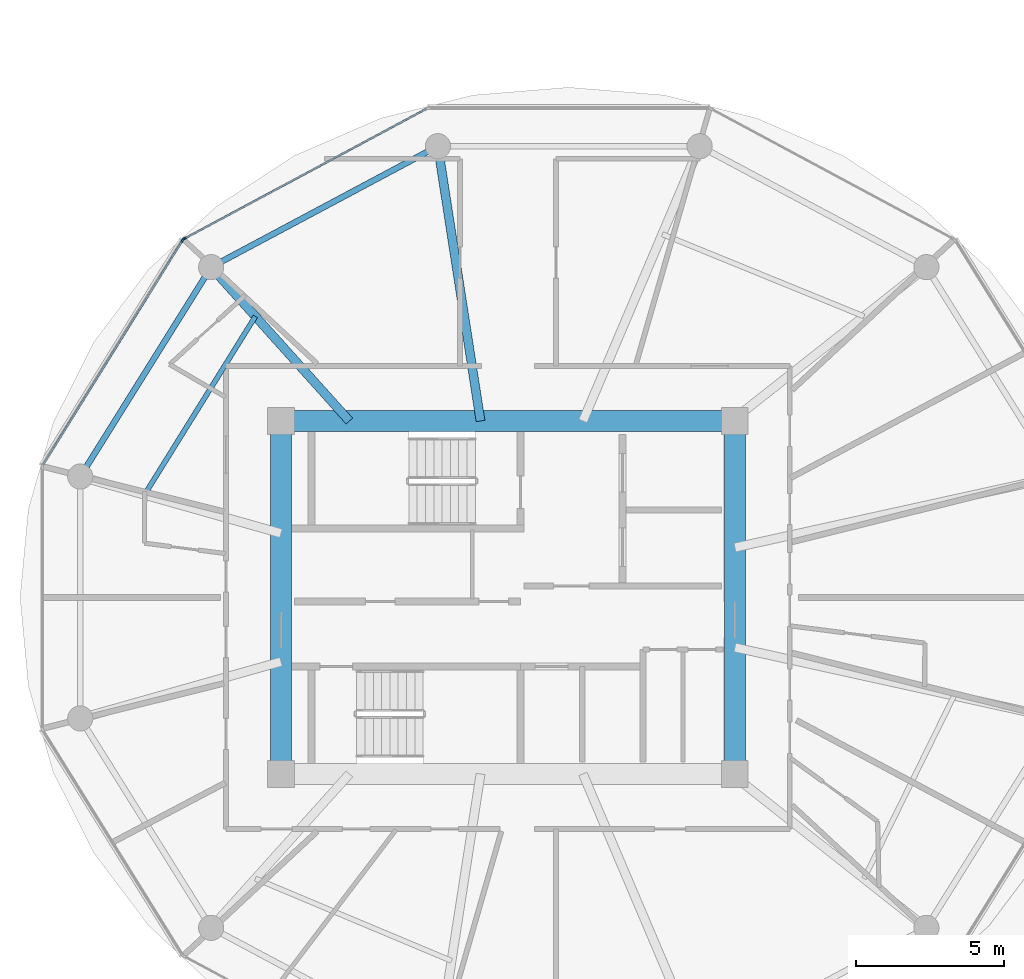
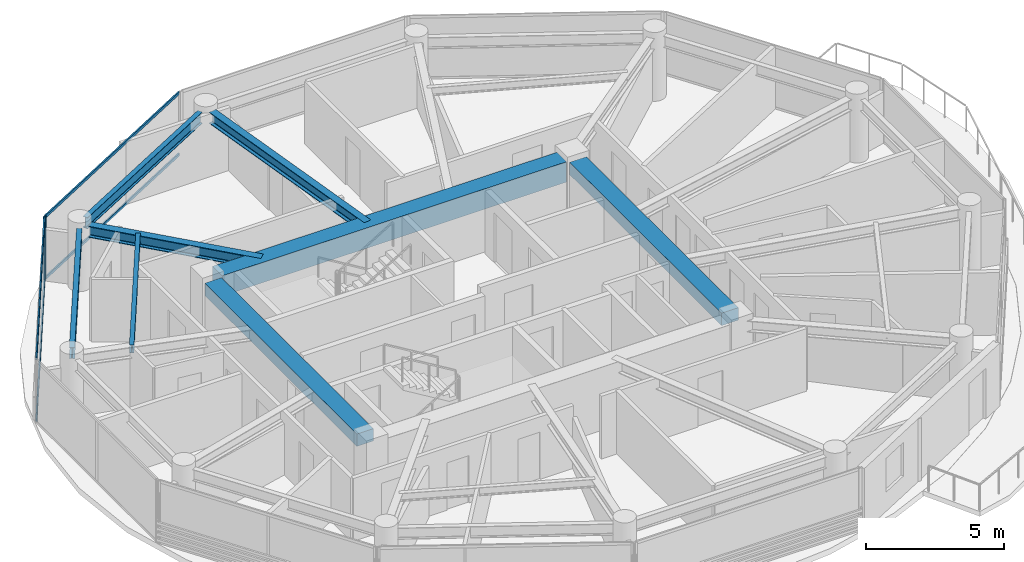
# One storey, part 4 of 22: 8 beams, 6 members, 2 elements without a shape of their own.
"""IFC4 building model written with IfcOpenShell, lengths in metres."""

from ifc_helpers import new_model, si_unit, direction, frame, origin, origin_2d, place, context, subcontext, project, spatial, rectangle, i_section, extrude, source, transform, mapped, material, layer, layer_set, material_profile, profile_set, type_object, type_shapes, element, aggregate, save


model = new_model("IFC4")

# Units and contexts
model_context = context("Model", 3, precision=1e-05, world=origin(), true_north=direction((0.0, 1.0)))
body_context = subcontext(model_context, "Body", "Model", "MODEL_VIEW")
ifc_project = project(units=[si_unit("LENGTHUNIT", "METRE"), si_unit("AREAUNIT", "SQUARE_METRE"), si_unit("VOLUMEUNIT", "CUBIC_METRE"), si_unit("PLANEANGLEUNIT", "RADIAN"), si_unit("MASSUNIT", "GRAM", prefix="KILO")], contexts=[model_context])

# Site, building, storey
site_placement = place(None, origin())
site = spatial("IfcSite", under=ifc_project, at=site_placement, CompositionType="ELEMENT")
building_placement = place(site_placement, origin())
building = spatial("IfcBuilding", under=site, at=building_placement, Name="Norrkilde Senior Care Towers", CompositionType="ELEMENT")
storey_placement = place(building_placement, frame((0.0, 0.0, 123.699951171875)))
storey = spatial("IfcBuildingStorey", under=building, at=storey_placement, Name="L38", CompositionType="ELEMENT", Elevation=123.699951171875)

# Beams
ifc_material_1 = material(Name="Concrete C60/75", Category="concrete")
ifc_material_profile_1 = material_profile(ifc_material_1, rectangle(XDim=0.699951171875, YDim=0.89990234375, at=origin_2d()), Name="RC BM 700x900")
ifc_profile_set_1 = profile_set([ifc_material_profile_1], Name="Concrete C60/75")
beam_type_1 = type_object("IfcBeamType", Name="Core Coupling Girder 700x900", PredefinedType="USERDEFINED", material=ifc_profile_set_1)
shared_shape_1 = source(origin(), body_context, "Body", "SweptSolid", [
    extrude(rectangle(XDim=0.699951171875, YDim=0.89990234375, at=origin_2d()), origin(), (0.0, 0.0, 1.0), 14.43994140625),
])
type_shapes(beam_type_1, [shared_shape_1])
beam_1_placement = place(storey_placement, frame((-35.219970703125, 5.949951171875, 2.340087890625), z_axis=(1.0, 0.0, 0.0), x_axis=(0.0, 1.0, 0.0)))
element("IfcBeam", 1, at=beam_1_placement, inside=storey, type_object=beam_type_1, Name="L38 Core W N Coupling Girder", ObjectType="GIRDER", PredefinedType="USERDEFINED", context=body_context, shape_type="MappedRepresentation", body=[
    mapped(shared_shape_1, transform((0.0, 0.0, 0.0), x_axis=(1.0, 0.0, 0.0), y_axis=(0.0, 1.0, 0.0), z_axis=(0.0, 0.0, 1.0), scale=1.0)),
])
ifc_material_profile_2 = material_profile(ifc_material_1, rectangle(XDim=0.699951171875, YDim=0.550048828125, at=origin_2d()), Name="RC BM 700x550")
ifc_profile_set_2 = profile_set([ifc_material_profile_2], Name="Concrete C60/75")
beam_type_2 = type_object("IfcBeamType", Name="Core Portal Coupling Beam 700x550", PredefinedType="USERDEFINED", material=ifc_profile_set_2)
shared_shape_2 = source(origin(), body_context, "Body", "SweptSolid", [
    extrude(rectangle(XDim=0.699951171875, YDim=0.550048828125, at=origin_2d()), origin(), (0.0, 0.0, 1.0), 11.0400390625),
])
type_shapes(beam_type_2, [shared_shape_2])
for number, where, z_axis, x_axis, name in (
    (2, (-35.64990234375, -5.52001953125, 2.51513671875), (0.0, 1.0, 0.0), (-1.0, 0.0, 0.0), "L38 Core W W Coupling Girder"),
    (3, (-20.35009765625, -5.52001953125, 2.51513671875), (0.0, 1.0, 0.0), (-1.0, 0.0, 0.0), "L38 Core W E Coupling Girder"),
):
    element("IfcBeam", number, at=place(storey_placement, frame(where, z_axis=z_axis, x_axis=x_axis)), inside=storey, type_object=beam_type_2, Name=name, ObjectType="GIRDER", PredefinedType="USERDEFINED", context=body_context, shape_type="MappedRepresentation", body=[
        mapped(shared_shape_2, transform((0.0, 0.0, 0.0), x_axis=(1.0, 0.0, 0.0), y_axis=(0.0, 1.0, 0.0), z_axis=(0.0, 0.0, 1.0), scale=1.0)),
    ])
ifc_material_2 = material(Name="Steel S355", Category="steel")
ifc_material_profile_3 = material_profile(ifc_material_2, i_section(OverallWidth=0.199951171875, OverallDepth=0.5, WebThickness=0.01025390625, FlangeThickness=0.01611328125, FilletRadius=0.02099609375, at=origin_2d()), Name="IPE 500")
ifc_profile_set_3 = profile_set([ifc_material_profile_3], Name="Steel S355")
beam_type_3 = type_object("IfcBeamType", Name="Perimeter Ring Spandrel Z2 IPE500", PredefinedType="SPANDREL", material=ifc_profile_set_3)
shared_shape_3 = source(origin(), body_context, "Body", "SweptSolid", [
    extrude(i_section(OverallWidth=0.199951171875, OverallDepth=0.5, WebThickness=0.01025390625, FlangeThickness=0.01611328125, FilletRadius=0.02099609375, at=origin_2d()), origin(), (0.0, 0.0, 1.0), 7.892333984375),
])
beam_2_placement = place(storey_placement, frame((-30.70263671875, 15.0322265625, 2.5400390625), z_axis=(-0.882350372282, -0.47059305194, 0.0), x_axis=(0.47059305194, -0.882350372282, 0.0)))
element("IfcBeam", 4, at=beam_2_placement, inside=storey, type_object=beam_type_3, Name="L38 Drum W Perimeter Spandrel 04", PredefinedType="SPANDREL", context=body_context, shape_type="MappedRepresentation", body=[
    mapped(shared_shape_3, transform((0.0, 0.0, 0.0), x_axis=(1.0, 0.0, 0.0), y_axis=(0.0, 1.0, 0.0), z_axis=(0.0, 0.0, 1.0), scale=1.0)),
])
ifc_material_profile_4 = material_profile(ifc_material_2, i_section(OverallWidth=0.300048828125, OverallDepth=0.5, WebThickness=0.014404296875, FlangeThickness=0.028076171875, FilletRadius=0.027099609375, at=origin_2d()), Name="HEB 500")
ifc_profile_set_4 = profile_set([ifc_material_profile_4], Name="Steel S355")
beam_type_4 = type_object("IfcBeamType", Name="Radial Floor Beam Z2 HEB500", PredefinedType="BEAM", material=ifc_profile_set_4)
shared_shape_4 = source(origin(), body_context, "Body", "SweptSolid", [
    extrude(i_section(OverallWidth=0.300048828125, OverallDepth=0.5, WebThickness=0.014404296875, FlangeThickness=0.028076171875, FilletRadius=0.027099609375, at=origin_2d()), origin(), (0.0, 0.0, 1.0), 8.989501953125),
])
beam_3_placement = place(storey_placement, frame((-28.924072265625, 5.949951171875, 2.5400390625), z_axis=(-0.153471298636, 0.988153105796, 0.0), x_axis=(-0.988153105796, -0.153471298636, 0.0)))
element("IfcBeam", 5, at=beam_3_placement, inside=storey, type_object=beam_type_4, Name="L38 Drum W Radial Floor Beam 04", PredefinedType="BEAM", context=body_context, shape_type="MappedRepresentation", body=[
    mapped(shared_shape_4, transform((0.0, 0.0, 0.0), x_axis=(1.0, 0.0, 0.0), y_axis=(0.0, 1.0, 0.0), z_axis=(0.0, 0.0, 1.0), scale=1.0)),
])
shared_shape_5 = source(origin(), body_context, "Body", "SweptSolid", [
    extrude(i_section(OverallWidth=0.199951171875, OverallDepth=0.5, WebThickness=0.01025390625, FlangeThickness=0.01611328125, FilletRadius=0.02099609375, at=origin_2d()), origin(), (0.0, 0.0, 1.0), 7.556396484375),
])
type_shapes(beam_type_3, [shared_shape_3, shared_shape_5])
beam_4_placement = place(storey_placement, frame((-38.210205078125, 10.810546875, 2.5400390625), z_axis=(-0.530004748437, -0.847994673706, 0.0), x_axis=(0.847994673706, -0.530004748437, 0.0)))
element("IfcBeam", 6, at=beam_4_placement, inside=storey, type_object=beam_type_3, Name="L38 Drum W Perimeter Spandrel 05", PredefinedType="SPANDREL", context=body_context, shape_type="MappedRepresentation", body=[
    mapped(shared_shape_5, transform((0.0, 0.0, 0.0), x_axis=(1.0, 0.0, 0.0), y_axis=(0.0, 1.0, 0.0), z_axis=(0.0, 0.0, 1.0), scale=1.0)),
])
shared_shape_6 = source(origin(), body_context, "Body", "SweptSolid", [
    extrude(i_section(OverallWidth=0.300048828125, OverallDepth=0.5, WebThickness=0.014404296875, FlangeThickness=0.028076171875, FilletRadius=0.027099609375, at=origin_2d()), origin(), (0.0, 0.0, 1.0), 6.587890625),
])
type_shapes(beam_type_4, [shared_shape_4, shared_shape_6])
beam_5_placement = place(storey_placement, frame((-33.345947265625, 5.949951171875, 2.5400390625), z_axis=(-0.668315438605, 0.743877997068, 0.0), x_axis=(-0.743877997068, -0.668315438605, 0.0)))
element("IfcBeam", 7, at=beam_5_placement, inside=storey, type_object=beam_type_4, Name="L38 Drum W Radial Floor Beam 05", PredefinedType="BEAM", context=body_context, shape_type="MappedRepresentation", body=[
    mapped(shared_shape_6, transform((0.0, 0.0, 0.0), x_axis=(1.0, 0.0, 0.0), y_axis=(0.0, 1.0, 0.0), z_axis=(0.0, 0.0, 1.0), scale=1.0)),
])
ifc_material_profile_5 = material_profile(ifc_material_2, i_section(OverallWidth=0.169921875, OverallDepth=0.360107421875, WebThickness=0.008056640625, FlangeThickness=0.0126953125, FilletRadius=0.01806640625, at=origin_2d()), Name="IPE 360")
ifc_profile_set_5 = profile_set([ifc_material_profile_5], Name="Steel S355")
beam_type_5 = type_object("IfcBeamType", Name="Secondary Floor Joist IPE360", PredefinedType="JOIST", material=ifc_profile_set_5)
shared_shape_7 = source(origin(), body_context, "Body", "SweptSolid", [
    extrude(i_section(OverallWidth=0.169921875, OverallDepth=0.360107421875, WebThickness=0.008056640625, FlangeThickness=0.0126953125, FilletRadius=0.01806640625, at=origin_2d()), origin(), (0.0, 0.0, 1.0), 7.080078125),
])
type_shapes(beam_type_5, [shared_shape_7])
beam_6_placement = place(storey_placement, frame((-36.514892578125, 9.47705078125, 2.610107421875), z_axis=(-0.527961009189, -0.849268610497, 0.0), x_axis=(0.849268610497, -0.527961009189, 0.0)))
element("IfcBeam", 8, at=beam_6_placement, inside=storey, type_object=beam_type_5, Name="L38 Drum W Secondary Floor Joist 2", PredefinedType="JOIST", context=body_context, shape_type="MappedRepresentation", body=[
    mapped(shared_shape_7, transform((0.0, 0.0, 0.0), x_axis=(1.0, 0.0, 0.0), y_axis=(0.0, 1.0, 0.0), z_axis=(0.0, 0.0, 1.0), scale=1.0)),
])

# Curtain wall, member
ifc_material_3 = material(Name="Triple Low-E Insulated Glazing", Category="glass")
ifc_layer = layer(ifc_material_3, 0.195068359375)
ifc_layer_set = layer_set([ifc_layer], Name="Triple Low-E Insulated Glazing")
curtain_wall_type = type_object("IfcCurtainWallType", Name="CW3 Zone 2 Assisted Living Curtain Wall", PredefinedType="NOTDEFINED", material=ifc_layer_set)
curtain_wall_1_placement = place(storey_placement, origin())
curtain_wall_1 = element("IfcCurtainWall", 9, at=curtain_wall_1_placement, inside=storey, type_object=curtain_wall_type, Name="L38 Drum W Curtain Wall 03", PredefinedType="NOTDEFINED")
ifc_material_4 = material(Name="Anodised Aluminium", Category="aluminium")
ifc_material_profile_6 = material_profile(ifc_material_4, rectangle(XDim=0.06494140625, YDim=0.159912109375, at=origin_2d()), Name="ALU MULL 65x160")
ifc_profile_set_6 = profile_set([ifc_material_profile_6], Name="Anodised Aluminium")
member_type_1 = type_object("IfcMemberType", Name="Curtain Wall Mullion Z1-Z2 65x160", PredefinedType="MULLION", material=ifc_profile_set_6)
shared_shape_8 = source(origin(), body_context, "Body", "SweptSolid", [
    extrude(rectangle(XDim=0.06494140625, YDim=0.159912109375, at=origin_2d()), origin(), (0.0, 0.0, 1.0), 2.7900390625),
])
type_shapes(member_type_1, [shared_shape_8])
member_1_placement = place(storey_placement, frame((-38.91796875, 12.0927734375, 0.0), z_axis=(0.0, 0.0, 1.0), x_axis=(-0.472769402511, 0.881186184668, 0.0)))
member_1 = element("IfcMember", 10, at=member_1_placement, type_object=member_type_1, Name="CW-3 mullion 1", PredefinedType="MULLION", context=body_context, shape_type="MappedRepresentation", body=[
    mapped(shared_shape_8, transform((0.0, 0.0, 0.0), x_axis=(1.0, 0.0, 0.0), y_axis=(0.0, 1.0, 0.0), z_axis=(0.0, 0.0, 1.0), scale=1.0)),
])

# Curtain wall, members
curtain_wall_2_placement = place(storey_placement, origin())
curtain_wall_2 = element("IfcCurtainWall", 11, at=curtain_wall_2_placement, inside=storey, type_object=curtain_wall_type, Name="L38 Drum W Curtain Wall 04", PredefinedType="NOTDEFINED")
member_2_placement = place(storey_placement, frame((-38.9638671875, 12.0498046875, 0.0), z_axis=(0.0, 0.0, 1.0), x_axis=(-0.849410171862, 0.527733228002, 0.0)))
member_2 = element("IfcMember", 12, at=member_2_placement, type_object=member_type_1, Name="CW-3 mullion 2", PredefinedType="MULLION", context=body_context, shape_type="MappedRepresentation", body=[
    mapped(shared_shape_8, transform((0.0, 0.0, 0.0), x_axis=(1.0, 0.0, 0.0), y_axis=(0.0, 1.0, 0.0), z_axis=(0.0, 0.0, 1.0), scale=1.0)),
])
ifc_material_profile_7 = material_profile(ifc_material_4, rectangle(XDim=0.06005859375, YDim=0.1201171875, at=origin_2d()), Name="ALU TRAN 60x120")
ifc_profile_set_7 = profile_set([ifc_material_profile_7], Name="Anodised Aluminium")
member_type_2 = type_object("IfcMemberType", Name="Curtain Wall Transom Typical 60x120", PredefinedType="USERDEFINED", material=ifc_profile_set_7)
shared_shape_9 = source(origin(), body_context, "Body", "SweptSolid", [
    extrude(rectangle(XDim=0.06005859375, YDim=0.1201171875, at=origin_2d()), origin(), (0.0, 0.0, 1.0), 8.88427734375),
])
member_3_placement = place(storey_placement, frame((-43.66943359375, 4.475830078125, 0.030029296875), z_axis=(0.527729466743, 0.849412508697, 0.0), x_axis=(-0.849412508697, 0.527729466743, 0.0)))
member_3 = element("IfcMember", 13, at=member_3_placement, type_object=member_type_2, Name="CW-3 transom 1.1", ObjectType="TRANSOM", PredefinedType="USERDEFINED", context=body_context, shape_type="MappedRepresentation", body=[
    mapped(shared_shape_9, transform((0.0, 0.0, 0.0), x_axis=(1.0, 0.0, 0.0), y_axis=(0.0, 1.0, 0.0), z_axis=(0.0, 0.0, 1.0), scale=1.0)),
])
member_4_placement = place(storey_placement, frame((-43.66943359375, 4.475830078125, 2.760009765625), z_axis=(0.527729466743, 0.849412508697, 0.0), x_axis=(-0.849412508697, 0.527729466743, 0.0)))
member_4 = element("IfcMember", 14, at=member_4_placement, type_object=member_type_2, Name="CW-3 transom 1.2", ObjectType="TRANSOM", PredefinedType="USERDEFINED", context=body_context, shape_type="MappedRepresentation", body=[
    mapped(shared_shape_9, transform((0.0, 0.0, 0.0), x_axis=(1.0, 0.0, 0.0), y_axis=(0.0, 1.0, 0.0), z_axis=(0.0, 0.0, 1.0), scale=1.0)),
])
aggregate(curtain_wall_2, [member_2, member_3, member_4])

# Member
shared_shape_10 = source(origin(), body_context, "Body", "SweptSolid", [
    extrude(rectangle(XDim=0.06005859375, YDim=0.1201171875, at=origin_2d()), origin(), (0.0, 0.0, 1.0), 9.220458984375),
])
type_shapes(member_type_2, [shared_shape_9, shared_shape_10])
member_5_placement = place(storey_placement, frame((-38.889404296875, 12.108154296875, 0.030029296875), z_axis=(0.881188517866, 0.472765053681, 0.0), x_axis=(-0.472765053681, 0.881188517866, 0.0)))
member_5 = element("IfcMember", 15, at=member_5_placement, type_object=member_type_2, Name="CW-3 transom 1.1", ObjectType="TRANSOM", PredefinedType="USERDEFINED", context=body_context, shape_type="MappedRepresentation", body=[
    mapped(shared_shape_10, transform((0.0, 0.0, 0.0), x_axis=(1.0, 0.0, 0.0), y_axis=(0.0, 1.0, 0.0), z_axis=(0.0, 0.0, 1.0), scale=1.0)),
])

member_6_placement = place(storey_placement, frame((-38.889404296875, 12.108154296875, 2.760009765625), z_axis=(0.881188517866, 0.472765053681, 0.0), x_axis=(-0.472765053681, 0.881188517866, 0.0)))
member_6 = element("IfcMember", 16, at=member_6_placement, type_object=member_type_2, Name="CW-3 transom 1.2", ObjectType="TRANSOM", PredefinedType="USERDEFINED", context=body_context, shape_type="MappedRepresentation", body=[
    mapped(shared_shape_10, transform((0.0, 0.0, 0.0), x_axis=(1.0, 0.0, 0.0), y_axis=(0.0, 1.0, 0.0), z_axis=(0.0, 0.0, 1.0), scale=1.0)),
])

aggregate(curtain_wall_1, [member_1, member_5, member_6])

save(model, "model.ifc")
